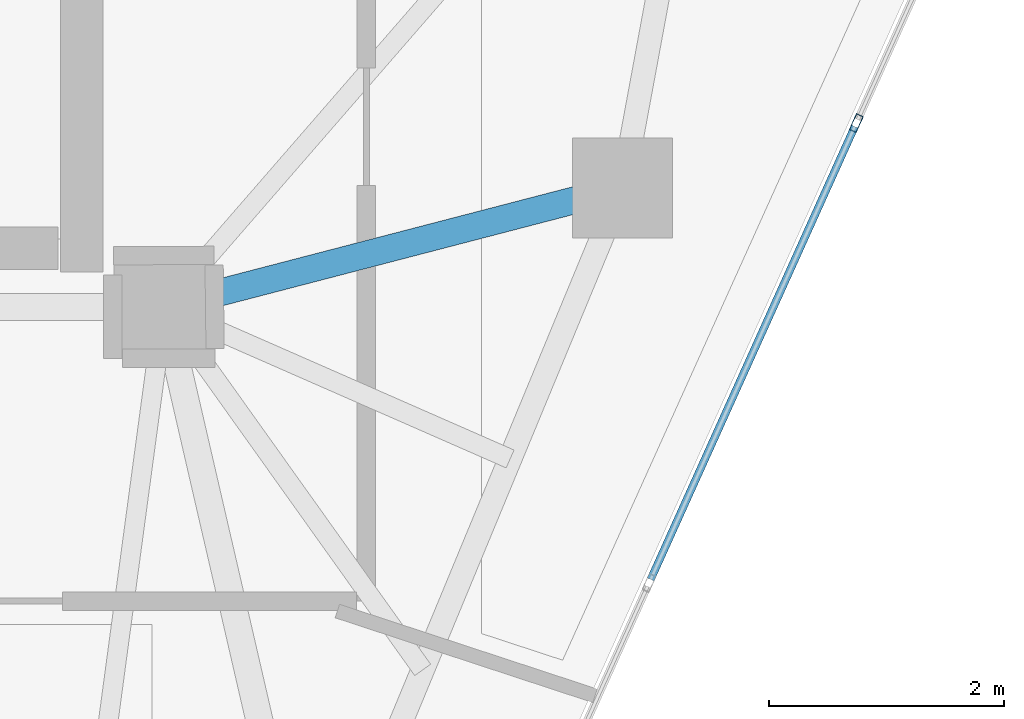
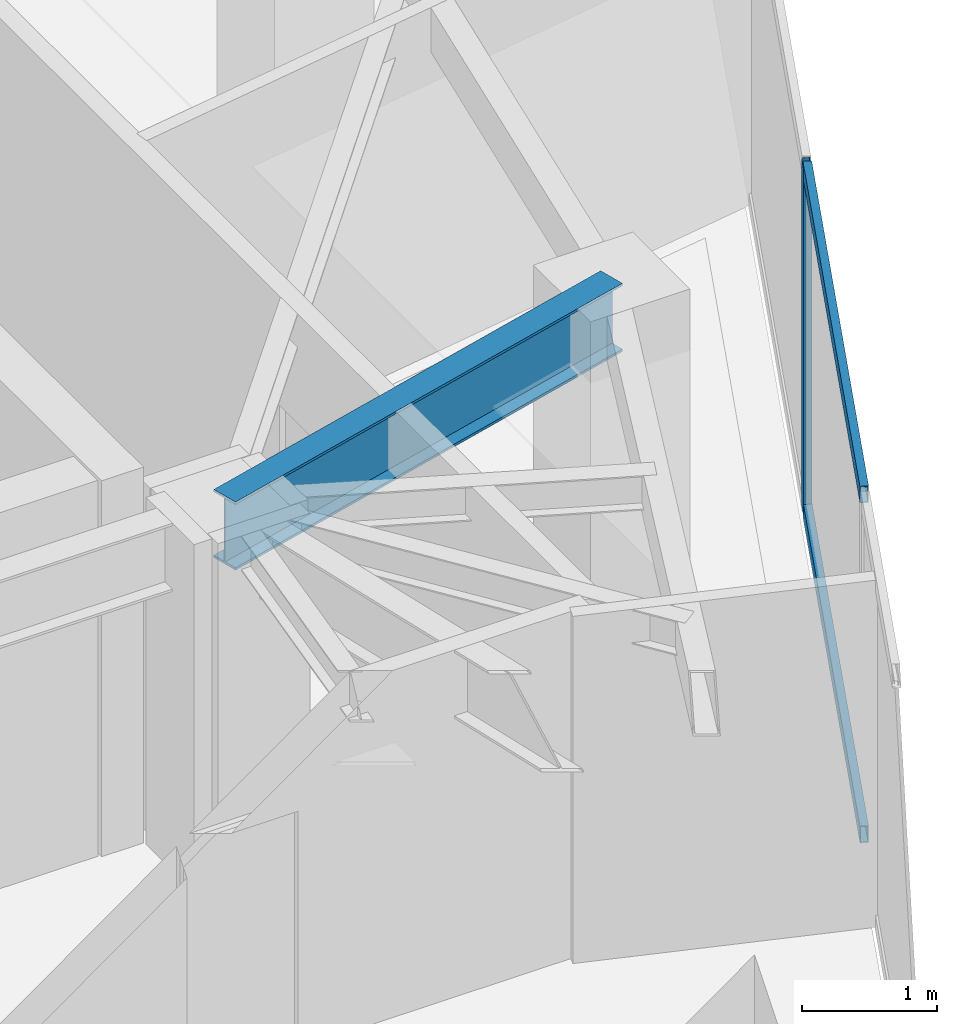
# One storey, part 7 of 20: 3 members, 1 beam, 1 element without a shape of its own.
"""IFC4 building model written with IfcOpenShell, lengths in metres."""

from ifc_helpers import new_model, si_unit, direction, frame, origin, origin_2d, place, context, subcontext, project, spatial, hollow_rectangle, i_section, extrude, source, transform, mapped, material, layer, layer_set, material_profile, profile_set, type_object, type_shapes, element, aggregate, save


model = new_model("IFC4")

# Units and contexts
model_context = context("Model", 3, precision=1e-05, world=origin(), true_north=direction((0.0, 1.0)))
body_context = subcontext(model_context, "Body", "Model", "MODEL_VIEW")
ifc_project = project(units=[si_unit("LENGTHUNIT", "METRE"), si_unit("AREAUNIT", "SQUARE_METRE"), si_unit("VOLUMEUNIT", "CUBIC_METRE"), si_unit("PLANEANGLEUNIT", "RADIAN"), si_unit("MASSUNIT", "GRAM", prefix="KILO")], contexts=[model_context])

# Site, building, storey
site_placement = place(None, origin())
site = spatial("IfcSite", under=ifc_project, at=site_placement, CompositionType="ELEMENT")
building_placement = place(site_placement, origin())
building = spatial("IfcBuilding", under=site, at=building_placement, Name="Talar Marvaseh", CompositionType="ELEMENT")
storey_placement = place(building_placement, frame((0.0, 0.0, 278.199951171875)))
storey = spatial("IfcBuildingStorey", under=building, at=storey_placement, Name="L74", CompositionType="ELEMENT", Elevation=278.199951171875)

# Beam
ifc_material_1 = material(Name="Steel S355", Category="steel")
ifc_material_profile_1 = material_profile(ifc_material_1, i_section(OverallWidth=0.22998046875, OverallDepth=0.616943359375, WebThickness=0.01318359375, FlangeThickness=0.022216796875, at=origin_2d()), Name="W610x140")
ifc_profile_set_1 = profile_set([ifc_material_profile_1], Name="Steel S355")
beam_type = type_object("IfcBeamType", Name="Zone 4 Radial Floor Girder W610x140", PredefinedType="BEAM", material=ifc_profile_set_1)
beam_placement = place(storey_placement, frame((37.197021484375, 26.513916015625, 2.83154296875), z_axis=(-0.967779967746, -0.251797406719, 0.0), x_axis=(0.251797406719, -0.967779967746, 0.0)))
element("IfcBeam", 1, at=beam_placement, inside=storey, type_object=beam_type, Name="L74 Zone 4 Radial Floor Girder W610x140", PredefinedType="BEAM", context=body_context, shape_type="SweptSolid", body=[
    extrude(i_section(OverallWidth=0.22998046875, OverallDepth=0.616943359375, WebThickness=0.01318359375, FlangeThickness=0.022216796875, at=origin_2d()), origin(), (0.0, 0.0, 1.0), 4.026611328125),
])

# Curtain wall, members
ifc_material_2 = material(Name="Architectural Aluminium", Category="aluminium")
ifc_layer = layer(ifc_material_2, 0.179931640625)
ifc_layer_set = layer_set([ifc_layer], Name="Architectural Aluminium")
curtain_wall_type = type_object("IfcCurtainWallType", Name="Unitised High-Wind Sky Curtain Wall Z4", PredefinedType="NOTDEFINED", material=ifc_layer_set)
curtain_wall_placement = place(storey_placement, origin())
curtain_wall = element("IfcCurtainWall", 2, at=curtain_wall_placement, inside=storey, type_object=curtain_wall_type, Name="L74 Unitised High-Wind Sky Curtain Wall Z4", PredefinedType="NOTDEFINED")
ifc_material_profile_2 = material_profile(ifc_material_2, hollow_rectangle(XDim=0.06494140625, YDim=0.14990234375, WallThickness=0.00390625, at=origin_2d()), Name="RHS150x65x4")
ifc_profile_set_2 = profile_set([ifc_material_profile_2], Name="Architectural Aluminium")
member_type_1 = type_object("IfcMemberType", Name="Unitised Curtain Wall Slim Transom RHS150x65x4", PredefinedType="USERDEFINED", material=ifc_profile_set_2)
shared_shape_1 = source(origin(), body_context, "Body", "SweptSolid", [
    extrude(hollow_rectangle(XDim=0.06494140625, YDim=0.14990234375, WallThickness=0.00390625, at=origin_2d()), origin(), (0.0, 0.0, 1.0), 4.22119140625),
])
type_shapes(member_type_1, [shared_shape_1])
member_1_placement = place(storey_placement, frame((39.17138671875, 27.033935546875, 0.032470703125), z_axis=(-0.410876852301, -0.911690853438, 0.0), x_axis=(0.911690853438, -0.410876852301, 0.0)))
member_1 = element("IfcMember", 3, at=member_1_placement, type_object=member_type_1, Name="CW-Z4 transom 3.1", ObjectType="TRANSOM", PredefinedType="USERDEFINED", context=body_context, shape_type="MappedRepresentation", body=[
    mapped(shared_shape_1, transform((0.0, 0.0, 0.0), x_axis=(1.0, 0.0, 0.0), y_axis=(0.0, 1.0, 0.0), z_axis=(0.0, 0.0, 1.0), scale=1.0)),
])
member_2_placement = place(storey_placement, frame((39.17138671875, 27.033935546875, 3.107666015625), z_axis=(-0.410876852301, -0.911690853438, 0.0), x_axis=(0.911690853438, -0.410876852301, 0.0)))
member_2 = element("IfcMember", 4, at=member_2_placement, type_object=member_type_1, Name="CW-Z4 transom 3.2", ObjectType="TRANSOM", PredefinedType="USERDEFINED", context=body_context, shape_type="MappedRepresentation", body=[
    mapped(shared_shape_1, transform((0.0, 0.0, 0.0), x_axis=(1.0, 0.0, 0.0), y_axis=(0.0, 1.0, 0.0), z_axis=(0.0, 0.0, 1.0), scale=1.0)),
])
ifc_material_profile_3 = material_profile(ifc_material_2, hollow_rectangle(XDim=0.06494140625, YDim=0.14990234375, WallThickness=0.00390625, at=origin_2d()), Name="RHS150x65x4")
ifc_profile_set_3 = profile_set([ifc_material_profile_3], Name="Architectural Aluminium")
member_type_2 = type_object("IfcMemberType", Name="Unitised Curtain Wall Slim Mullion RHS150x65x4", PredefinedType="MULLION", material=ifc_profile_set_3)
shared_shape_2 = source(origin(), body_context, "Body", "SweptSolid", [
    extrude(hollow_rectangle(XDim=0.06494140625, YDim=0.14990234375, WallThickness=0.00390625, at=origin_2d()), origin(), (0.0, 0.0, 1.0), 3.14013671875),
])
type_shapes(member_type_2, [shared_shape_2])
member_3_placement = place(storey_placement, frame((39.184814453125, 27.063720703125, 0.0), z_axis=(0.0, 0.0, 1.0), x_axis=(0.9116986288, -0.410859599187, 0.0)))
member_3 = element("IfcMember", 5, at=member_3_placement, type_object=member_type_2, Name="CW-Z4 mullion 3", PredefinedType="MULLION", context=body_context, shape_type="MappedRepresentation", body=[
    mapped(shared_shape_2, transform((0.0, 0.0, 0.0), x_axis=(1.0, 0.0, 0.0), y_axis=(0.0, 1.0, 0.0), z_axis=(0.0, 0.0, 1.0), scale=1.0)),
])
aggregate(curtain_wall, [member_3, member_1, member_2])

save(model, "model.ifc")
